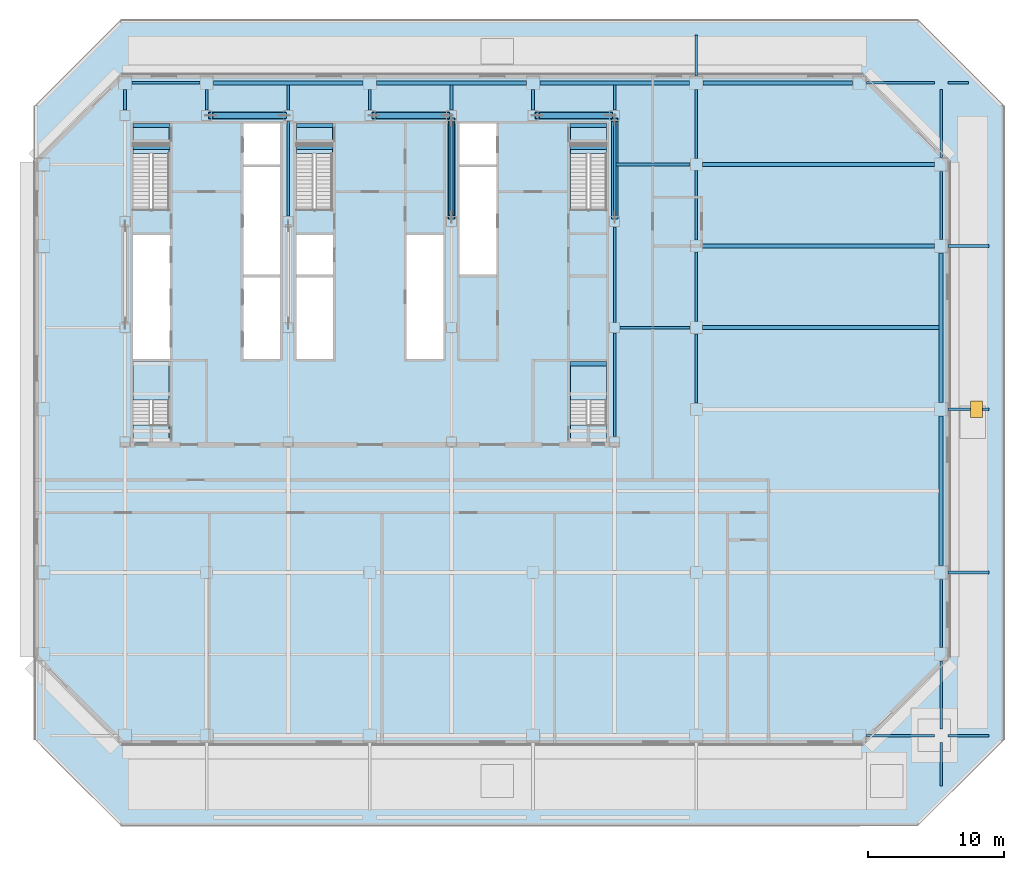
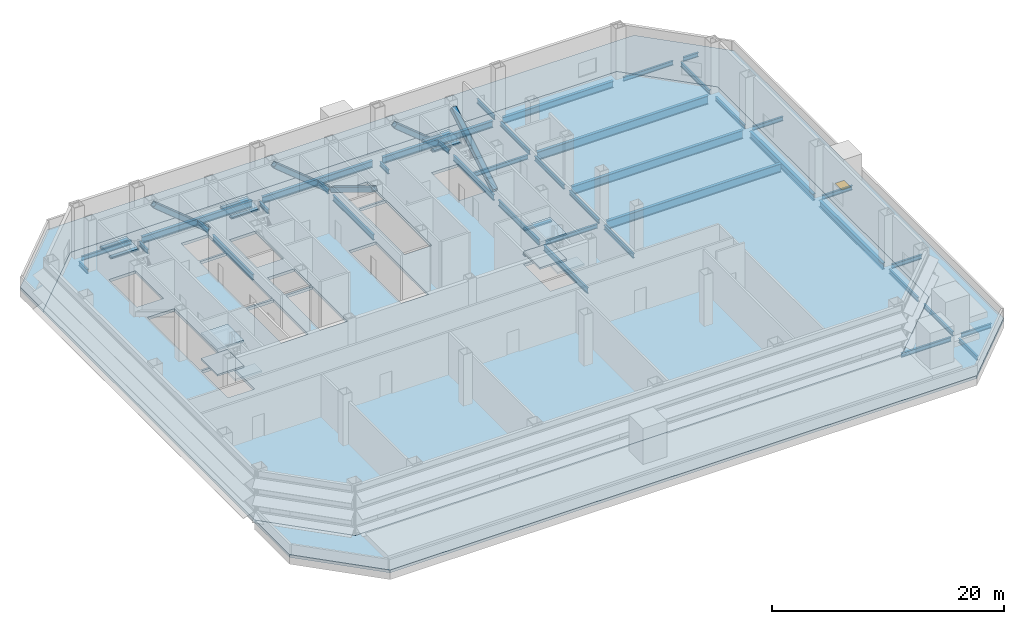
# One storey, part 2 of 11: 49 beams, 11 slabs, 5 members, 1 window, 1 opening, 5 elements without a shape of their own.
"""IFC4 building model written with IfcOpenShell, lengths in metres."""

from ifc_helpers import new_model, si_unit, direction, frame, origin, origin_2d, place, context, subcontext, project, spatial, polyline, rectangle, hollow_rectangle, i_section, outline, extrude, material, layer, layer_set, material_profile, profile_set, type_object, element, fill, aggregate, save


model = new_model("IFC4")

# Units and contexts
model_context = context("Model", 3, precision=1e-05, world=origin(), true_north=direction((0.0, 1.0)))
body_context = subcontext(model_context, "Body", "Model", "MODEL_VIEW")
ifc_project = project(units=[si_unit("LENGTHUNIT", "METRE"), si_unit("AREAUNIT", "SQUARE_METRE"), si_unit("VOLUMEUNIT", "CUBIC_METRE"), si_unit("PLANEANGLEUNIT", "RADIAN"), si_unit("MASSUNIT", "GRAM", prefix="KILO")], contexts=[model_context])

# Site, building, storey
site_placement = place(None, origin())
site = spatial("IfcSite", under=ifc_project, at=site_placement, CompositionType="ELEMENT")
building_placement = place(site_placement, origin())
building = spatial("IfcBuilding", under=site, at=building_placement, Name="Sorahane Residences", CompositionType="ELEMENT")
storey_placement = place(building_placement, frame((0.0, 0.0, 44.39990234375)))
storey = spatial("IfcBuildingStorey", under=building, at=storey_placement, Name="L07", CompositionType="ELEMENT", Elevation=44.39990234375)

# Members
ifc_material_1 = material(Name="Steel Q355B", Category="steel")
ifc_material_profile_1 = material_profile(ifc_material_1, hollow_rectangle(XDim=0.5, YDim=0.5, WallThickness=0.02490234375, InnerFilletRadius=0.012451171875, OuterFilletRadius=0.03759765625, at=origin_2d()), Name="RHS 500x500x25")
ifc_profile_set_1 = profile_set([ifc_material_profile_1], Name="Steel Q355B")
member_type = type_object("IfcMemberType", Name="Core brace RHS 500x500x25 Q355B", PredefinedType="BRACE", material=ifc_profile_set_1)
for number, where, z_axis, x_axis, name in (
    (1, (17.6953125, 45.60009765625, 0.171875), (-0.772848867813, 0.0, 0.634590125609), (0.0, -1.0, 0.0), "Core brace L07 y45.6-2"),
    (2, (29.6953125, 45.60009765625, 0.171875), (-0.772848867813, 0.0, 0.634590125609), (0.0, -1.0, 0.0), "Core brace L07 y45.6-4"),
    (3, (41.6953125, 45.60009765625, 0.171875), (-0.772848867813, 0.0, 0.634590125609), (0.0, -1.0, 0.0), "Core brace L07 y45.6-6"),
):
    element("IfcMember", number, at=place(storey_placement, frame(where, z_axis=z_axis, x_axis=x_axis)), inside=storey, type_object=member_type, Name=name, PredefinedType="BRACE", context=body_context, shape_type="SweptSolid", body=[
        extrude(hollow_rectangle(XDim=0.5, YDim=0.5, WallThickness=0.02490234375, InnerFilletRadius=0.012451171875, OuterFilletRadius=0.03759765625, at=origin_2d()), origin(), (0.0, 0.0, 1.0), 6.97509765625),
    ])
for number, where, z_axis, x_axis, name in (
    (4, (42.0, 38.121826171875, 0.202392578125), (0.0, 0.853707753255, 0.520752409532), (-1.0, 0.0, 0.0), "Core brace L07 x42-3"),
    (5, (30.0, 45.278076171875, 0.202392578125), (0.0, -0.853707753255, 0.520752409532), (1.0, 0.0, 0.0), "Core brace L07 x30-2"),
):
    element("IfcMember", number, at=place(storey_placement, frame(where, z_axis=z_axis, x_axis=x_axis)), inside=storey, type_object=member_type, Name=name, PredefinedType="BRACE", context=body_context, shape_type="SweptSolid", body=[
        extrude(hollow_rectangle(XDim=0.5, YDim=0.5, WallThickness=0.02490234375, InnerFilletRadius=0.012451171875, OuterFilletRadius=0.03759765625, at=origin_2d()), origin(), (0.0, 0.0, 1.0), 8.382568359375),
    ])

# Beams
ifc_material_2 = material(Name="Concrete C40", Category="concrete")
ifc_material_profile_2 = material_profile(ifc_material_2, rectangle(XDim=0.300048828125, YDim=0.139892578125, at=origin_2d()), Name="300x140")
ifc_profile_set_2 = profile_set([ifc_material_profile_2], Name="Concrete C40")
beam_type_1 = type_object("IfcBeamType", Name="RC landing beam 300 x 140 Concrete C40", PredefinedType="BEAM", material=ifc_profile_set_2)
for number, where, z_axis, x_axis, name in (
    (6, (6.60009765625, 43.25, 2.43017578125), (1.0, 0.0, 0.0), (0.0, 1.0, 0.0), "Landing beam"),
    (7, (6.60009765625, 44.85009765625, 2.43017578125), (1.0, 0.0, 0.0), (0.0, 1.0, 0.0), "Landing beam"),
    (8, (38.699951171875, 43.25, 2.43017578125), (1.0, 0.0, 0.0), (0.0, 1.0, 0.0), "Landing beam"),
    (9, (38.699951171875, 44.85009765625, 2.43017578125), (1.0, 0.0, 0.0), (0.0, 1.0, 0.0), "Landing beam"),
    (10, (18.60009765625, 43.25, 2.43017578125), (1.0, 0.0, 0.0), (0.0, 1.0, 0.0), "Landing beam"),
    (11, (18.60009765625, 44.85009765625, 2.43017578125), (1.0, 0.0, 0.0), (0.0, 1.0, 0.0), "Landing beam"),
    (12, (38.699951171875, 27.35009765625, 1.080078125), (1.0, 0.0, 0.0), (0.0, 1.0, 0.0), "Landing beam"),
    (13, (38.699951171875, 27.35009765625, 3.780029296875), (1.0, 0.0, 0.0), (0.0, 1.0, 0.0), "Landing beam"),
):
    element("IfcBeam", number, at=place(storey_placement, frame(where, z_axis=z_axis, x_axis=x_axis)), inside=storey, type_object=beam_type_1, Name=name, PredefinedType="BEAM", context=body_context, shape_type="SweptSolid", body=[
        extrude(rectangle(XDim=0.300048828125, YDim=0.139892578125, at=origin_2d()), origin(), (0.0, 0.0, 1.0), 2.699951171875),
    ])
ifc_material_3 = material(Name="Steel Q355B", Category="steel")
ifc_material_profile_3 = material_profile(ifc_material_3, i_section(OverallWidth=0.199951171875, OverallDepth=0.449951171875, WebThickness=0.009033203125, FlangeThickness=0.013916015625, FilletRadius=0.02001953125, at=origin_2d()), Name="HN 450x200x9x14")
ifc_profile_set_3 = profile_set([ifc_material_profile_3], Name="Steel Q355B")
beam_type_2 = type_object("IfcBeamType", Name="Steel floor beam HN 450x200x9x14 Q355B", PredefinedType="BEAM", material=ifc_profile_set_3)
beam_1_placement = place(storey_placement, frame((60.5, 0.0, -0.52490234375), z_axis=(1.0, 0.0, 0.0), x_axis=(0.0, 1.0, 0.0)))
element("IfcBeam", 14, at=beam_1_placement, inside=storey, type_object=beam_type_2, Name="Beam L07 006", PredefinedType="BEAM", context=body_context, shape_type="SweptSolid", body=[
    extrude(i_section(OverallWidth=0.199951171875, OverallDepth=0.449951171875, WebThickness=0.009033203125, FlangeThickness=0.013916015625, FilletRadius=0.02001953125, at=origin_2d()), origin(), (0.0, 0.0, 1.0), 5.0),
])
for number, where, z_axis, x_axis, name in (
    (15, (66.5, 0.0, -0.52490234375), (1.0, 0.0, 0.0), (0.0, 1.0, 0.0), "Beam L07 007"),
    (16, (66.5, 12.0, -0.52490234375), (1.0, 0.0, 0.0), (0.0, 1.0, 0.0), "Beam L07 013"),
    (17, (66.5, 24.0, -0.52490234375), (1.0, 0.0, 0.0), (0.0, 1.0, 0.0), "Beam L07 015"),
    (18, (66.5, 36.0, -0.52490234375), (1.0, 0.0, 0.0), (0.0, 1.0, 0.0), "Beam L07 017"),
):
    element("IfcBeam", number, at=place(storey_placement, frame(where, z_axis=z_axis, x_axis=x_axis)), inside=storey, type_object=beam_type_2, Name=name, PredefinedType="BEAM", context=body_context, shape_type="SweptSolid", body=[
        extrude(i_section(OverallWidth=0.199951171875, OverallDepth=0.449951171875, WebThickness=0.009033203125, FlangeThickness=0.013916015625, FilletRadius=0.02001953125, at=origin_2d()), origin(), (0.0, 0.0, 1.0), 3.0),
    ])
for number, where, z_axis, x_axis, name in (
    (19, (6.5, 48.0, -0.52490234375), (1.0, 0.0, 0.0), (0.0, 1.0, 0.0), "Beam L07 018"),
    (20, (60.5, 48.0, -0.52490234375), (1.0, 0.0, 0.0), (0.0, 1.0, 0.0), "Beam L07 023"),
):
    element("IfcBeam", number, at=place(storey_placement, frame(where, z_axis=z_axis, x_axis=x_axis)), inside=storey, type_object=beam_type_2, Name=name, PredefinedType="BEAM", context=body_context, shape_type="SweptSolid", body=[
        extrude(i_section(OverallWidth=0.199951171875, OverallDepth=0.449951171875, WebThickness=0.009033203125, FlangeThickness=0.013916015625, FilletRadius=0.02001953125, at=origin_2d()), origin(), (0.0, 0.0, 1.0), 5.0),
    ])
for number, where, z_axis, x_axis, name in (
    (21, (66.5, 48.0, -0.52490234375), (1.0, 0.0, 0.0), (0.0, 1.0, 0.0), "Beam L07 024"),
    (22, (6.0, 46.0, -0.52490234375), (0.0, 1.0, 0.0), (-1.0, 0.0, 0.0), "Beam L07 035"),
    (23, (12.0, 46.0, -0.52490234375), (0.0, 1.0, 0.0), (-1.0, 0.0, 0.0), "Beam L07 038"),
):
    element("IfcBeam", number, at=place(storey_placement, frame(where, z_axis=z_axis, x_axis=x_axis)), inside=storey, type_object=beam_type_2, Name=name, PredefinedType="BEAM", context=body_context, shape_type="SweptSolid", body=[
        extrude(i_section(OverallWidth=0.199951171875, OverallDepth=0.449951171875, WebThickness=0.009033203125, FlangeThickness=0.013916015625, FilletRadius=0.02001953125, at=origin_2d()), origin(), (0.0, 0.0, 1.0), 1.5),
    ])
beam_2_placement = place(storey_placement, frame((18.0, 46.0, -0.52490234375), z_axis=(0.0, 1.0, 0.0), x_axis=(-1.0, 0.0, 0.0)))
element("IfcBeam", 24, at=beam_2_placement, inside=storey, type_object=beam_type_2, Name="Beam L07 044", PredefinedType="BEAM", context=body_context, shape_type="SweptSolid", body=[
    extrude(i_section(OverallWidth=0.199951171875, OverallDepth=0.449951171875, WebThickness=0.009033203125, FlangeThickness=0.013916015625, FilletRadius=0.02001953125, at=origin_2d()), origin(), (0.0, 0.0, 1.0), 1.85009765625),
])
beam_3_placement = place(storey_placement, frame((24.0, 46.0, -0.52490234375), z_axis=(0.0, 1.0, 0.0), x_axis=(-1.0, 0.0, 0.0)))
element("IfcBeam", 25, at=beam_3_placement, inside=storey, type_object=beam_type_2, Name="Beam L07 047", PredefinedType="BEAM", context=body_context, shape_type="SweptSolid", body=[
    extrude(i_section(OverallWidth=0.199951171875, OverallDepth=0.449951171875, WebThickness=0.009033203125, FlangeThickness=0.013916015625, FilletRadius=0.02001953125, at=origin_2d()), origin(), (0.0, 0.0, 1.0), 1.5),
])
beam_4_placement = place(storey_placement, frame((30.0, 46.0, -0.52490234375), z_axis=(0.0, 1.0, 0.0), x_axis=(-1.0, 0.0, 0.0)))
element("IfcBeam", 26, at=beam_4_placement, inside=storey, type_object=beam_type_2, Name="Beam L07 053", PredefinedType="BEAM", context=body_context, shape_type="SweptSolid", body=[
    extrude(i_section(OverallWidth=0.199951171875, OverallDepth=0.449951171875, WebThickness=0.009033203125, FlangeThickness=0.013916015625, FilletRadius=0.02001953125, at=origin_2d()), origin(), (0.0, 0.0, 1.0), 1.85009765625),
])
beam_5_placement = place(storey_placement, frame((36.0, 46.0, -0.52490234375), z_axis=(0.0, 1.0, 0.0), x_axis=(-1.0, 0.0, 0.0)))
element("IfcBeam", 27, at=beam_5_placement, inside=storey, type_object=beam_type_2, Name="Beam L07 056", PredefinedType="BEAM", context=body_context, shape_type="SweptSolid", body=[
    extrude(i_section(OverallWidth=0.199951171875, OverallDepth=0.449951171875, WebThickness=0.009033203125, FlangeThickness=0.013916015625, FilletRadius=0.02001953125, at=origin_2d()), origin(), (0.0, 0.0, 1.0), 1.5),
])
beam_6_placement = place(storey_placement, frame((42.0, 46.0, -0.52490234375), z_axis=(0.0, 1.0, 0.0), x_axis=(-1.0, 0.0, 0.0)))
element("IfcBeam", 28, at=beam_6_placement, inside=storey, type_object=beam_type_2, Name="Beam L07 062", PredefinedType="BEAM", context=body_context, shape_type="SweptSolid", body=[
    extrude(i_section(OverallWidth=0.199951171875, OverallDepth=0.449951171875, WebThickness=0.009033203125, FlangeThickness=0.013916015625, FilletRadius=0.02001953125, at=origin_2d()), origin(), (0.0, 0.0, 1.0), 1.85009765625),
])
for number, where, z_axis, x_axis, name in (
    (29, (48.0, 24.449951171875, -0.52490234375), (0.0, 1.0, 0.0), (-1.0, 0.0, 0.0), "Beam L07 066"),
    (30, (48.0, 30.449951171875, -0.52490234375), (0.0, 1.0, 0.0), (-1.0, 0.0, 0.0), "Beam L07 067"),
    (31, (48.0, 36.449951171875, -0.52490234375), (0.0, 1.0, 0.0), (-1.0, 0.0, 0.0), "Beam L07 068"),
):
    element("IfcBeam", number, at=place(storey_placement, frame(where, z_axis=z_axis, x_axis=x_axis)), inside=storey, type_object=beam_type_2, Name=name, PredefinedType="BEAM", context=body_context, shape_type="SweptSolid", body=[
        extrude(i_section(OverallWidth=0.199951171875, OverallDepth=0.449951171875, WebThickness=0.009033203125, FlangeThickness=0.013916015625, FilletRadius=0.02001953125, at=origin_2d()), origin(), (0.0, 0.0, 1.0), 5.10009765625),
    ])
beam_7_placement = place(storey_placement, frame((48.0, 42.449951171875, -0.52490234375), z_axis=(0.0, 1.0, 0.0), x_axis=(-1.0, 0.0, 0.0)))
element("IfcBeam", 32, at=beam_7_placement, inside=storey, type_object=beam_type_2, Name="Beam L07 069", PredefinedType="BEAM", context=body_context, shape_type="SweptSolid", body=[
    extrude(i_section(OverallWidth=0.199951171875, OverallDepth=0.449951171875, WebThickness=0.009033203125, FlangeThickness=0.013916015625, FilletRadius=0.02001953125, at=origin_2d()), origin(), (0.0, 0.0, 1.0), 5.050048828125),
])
beam_8_placement = place(storey_placement, frame((48.0, 48.5, -0.52490234375), z_axis=(0.0, 1.0, 0.0), x_axis=(-1.0, 0.0, 0.0)))
element("IfcBeam", 33, at=beam_8_placement, inside=storey, type_object=beam_type_2, Name="Beam L07 070", PredefinedType="BEAM", context=body_context, shape_type="SweptSolid", body=[
    extrude(i_section(OverallWidth=0.199951171875, OverallDepth=0.449951171875, WebThickness=0.009033203125, FlangeThickness=0.013916015625, FilletRadius=0.02001953125, at=origin_2d()), origin(), (0.0, 0.0, 1.0), 3.0),
])
for number, where, z_axis, x_axis, name in (
    (34, (66.0, 0.5, -0.52490234375), (0.0, 1.0, 0.0), (-1.0, 0.0, 0.0), "Beam L07 071"),
    (35, (66.0, 6.5, -0.52490234375), (0.0, 1.0, 0.0), (-1.0, 0.0, 0.0), "Beam L07 072"),
    (36, (66.0, 36.5, -0.52490234375), (0.0, 1.0, 0.0), (-1.0, 0.0, 0.0), "Beam L07 075"),
    (37, (66.0, 42.5, -0.52490234375), (0.0, 1.0, 0.0), (-1.0, 0.0, 0.0), "Beam L07 076"),
):
    element("IfcBeam", number, at=place(storey_placement, frame(where, z_axis=z_axis, x_axis=x_axis)), inside=storey, type_object=beam_type_2, Name=name, PredefinedType="BEAM", context=body_context, shape_type="SweptSolid", body=[
        extrude(i_section(OverallWidth=0.199951171875, OverallDepth=0.449951171875, WebThickness=0.009033203125, FlangeThickness=0.013916015625, FilletRadius=0.02001953125, at=origin_2d()), origin(), (0.0, 0.0, 1.0), 5.0),
    ])
beam_9_placement = place(storey_placement, frame((42.39990234375, 30.0, -0.52490234375), z_axis=(1.0, 0.0, 0.0), x_axis=(0.0, 1.0, 0.0)))
element("IfcBeam", 38, at=beam_9_placement, inside=storey, type_object=beam_type_2, Name="Beam L07 096", PredefinedType="BEAM", context=body_context, shape_type="SweptSolid", body=[
    extrude(i_section(OverallWidth=0.199951171875, OverallDepth=0.449951171875, WebThickness=0.009033203125, FlangeThickness=0.013916015625, FilletRadius=0.02001953125, at=origin_2d()), origin(), (0.0, 0.0, 1.0), 5.150146484375),
])
beam_10_placement = place(storey_placement, frame((42.10009765625, 42.0, -0.52490234375), z_axis=(1.0, 0.0, 0.0), x_axis=(0.0, 1.0, 0.0)))
element("IfcBeam", 39, at=beam_10_placement, inside=storey, type_object=beam_type_2, Name="Beam L07 099", PredefinedType="BEAM", context=body_context, shape_type="SweptSolid", body=[
    extrude(i_section(OverallWidth=0.199951171875, OverallDepth=0.449951171875, WebThickness=0.009033203125, FlangeThickness=0.013916015625, FilletRadius=0.02001953125, at=origin_2d()), origin(), (0.0, 0.0, 1.0), 5.449951171875),
])
beam_11_placement = place(storey_placement, frame((66.0, -3.699951171875, -0.52490234375), z_axis=(0.0, 1.0, 0.0), x_axis=(-1.0, 0.0, 0.0)))
element("IfcBeam", 40, at=beam_11_placement, inside=storey, type_object=beam_type_2, Name="Beam L07 101", PredefinedType="BEAM", context=body_context, shape_type="SweptSolid", body=[
    extrude(i_section(OverallWidth=0.199951171875, OverallDepth=0.449951171875, WebThickness=0.009033203125, FlangeThickness=0.013916015625, FilletRadius=0.02001953125, at=origin_2d()), origin(), (0.0, 0.0, 1.0), 3.19970703125),
])
ifc_material_4 = material(Name="Steel Q355B", Category="steel")
ifc_material_profile_4 = material_profile(ifc_material_4, i_section(OverallWidth=0.199951171875, OverallDepth=0.60009765625, WebThickness=0.010986328125, FlangeThickness=0.01708984375, FilletRadius=0.02392578125, at=origin_2d()), Name="HN 600x200x11x17")
ifc_profile_set_4 = profile_set([ifc_material_profile_4], Name="Steel Q355B")
beam_type_3 = type_object("IfcBeamType", Name="Steel floor beam HN 600x200x11x17 Q355B", PredefinedType="BEAM", material=ifc_profile_set_4)
for number, where, z_axis, x_axis, name in (
    (41, (18.0, 38.199951171875, -0.599853515625), (0.0, 1.0, 0.0), (-1.0, 0.0, 0.0), "Beam L07 043"),
    (42, (30.0, 38.199951171875, -0.599853515625), (0.0, 1.0, 0.0), (-1.0, 0.0, 0.0), "Beam L07 052"),
):
    element("IfcBeam", number, at=place(storey_placement, frame(where, z_axis=z_axis, x_axis=x_axis)), inside=storey, type_object=beam_type_3, Name=name, PredefinedType="BEAM", context=body_context, shape_type="SweptSolid", body=[
        extrude(i_section(OverallWidth=0.199951171875, OverallDepth=0.60009765625, WebThickness=0.010986328125, FlangeThickness=0.01708984375, FilletRadius=0.02392578125, at=origin_2d()), origin(), (0.0, 0.0, 1.0), 7.0),
    ])
beam_12_placement = place(storey_placement, frame((42.0, 22.0, -0.599853515625), z_axis=(0.0, 1.0, 0.0), x_axis=(-1.0, 0.0, 0.0)))
element("IfcBeam", 43, at=beam_12_placement, inside=storey, type_object=beam_type_3, Name="Beam L07 059", PredefinedType="BEAM", context=body_context, shape_type="SweptSolid", body=[
    extrude(i_section(OverallWidth=0.199951171875, OverallDepth=0.60009765625, WebThickness=0.010986328125, FlangeThickness=0.01708984375, FilletRadius=0.02392578125, at=origin_2d()), origin(), (0.0, 0.0, 1.0), 7.60009765625),
])
for number, where, z_axis, x_axis, name in (
    (44, (42.0, 30.39990234375, -0.599853515625), (0.0, 1.0, 0.0), (-1.0, 0.0, 0.0), "Beam L07 060"),
    (45, (42.0, 38.199951171875, -0.599853515625), (0.0, 1.0, 0.0), (-1.0, 0.0, 0.0), "Beam L07 061"),
):
    element("IfcBeam", number, at=place(storey_placement, frame(where, z_axis=z_axis, x_axis=x_axis)), inside=storey, type_object=beam_type_3, Name=name, PredefinedType="BEAM", context=body_context, shape_type="SweptSolid", body=[
        extrude(i_section(OverallWidth=0.199951171875, OverallDepth=0.60009765625, WebThickness=0.010986328125, FlangeThickness=0.01708984375, FilletRadius=0.02392578125, at=origin_2d()), origin(), (0.0, 0.0, 1.0), 7.0),
    ])
ifc_material_5 = material(Name="Steel Q355B", Category="steel")
ifc_material_profile_5 = material_profile(ifc_material_5, i_section(OverallWidth=0.300048828125, OverallDepth=0.699951171875, WebThickness=0.012939453125, FlangeThickness=0.02392578125, FilletRadius=0.028076171875, at=origin_2d()), Name="HN 700x300x13x24")
ifc_profile_set_5 = profile_set([ifc_material_profile_5], Name="Steel Q355B")
beam_type_4 = type_object("IfcBeamType", Name="Steel floor beam HN 700x300x13x24 Q355B", PredefinedType="BEAM", material=ifc_profile_set_5)
for number, where, z_axis, x_axis, name in (
    (46, (12.5, 48.0, -0.64990234375), (1.0, 0.0, 0.0), (0.0, 1.0, 0.0), "Beam L07 019"),
    (47, (24.5, 48.0, -0.64990234375), (1.0, 0.0, 0.0), (0.0, 1.0, 0.0), "Beam L07 020"),
    (48, (36.5, 48.0, -0.64990234375), (1.0, 0.0, 0.0), (0.0, 1.0, 0.0), "Beam L07 021"),
    (49, (48.5, 48.0, -0.64990234375), (1.0, 0.0, 0.0), (0.0, 1.0, 0.0), "Beam L07 022"),
    (50, (66.0, 12.5, -0.64990234375), (0.0, 1.0, 0.0), (-1.0, 0.0, 0.0), "Beam L07 073"),
    (51, (66.0, 24.5, -0.64990234375), (0.0, 1.0, 0.0), (-1.0, 0.0, 0.0), "Beam L07 074"),
):
    element("IfcBeam", number, at=place(storey_placement, frame(where, z_axis=z_axis, x_axis=x_axis)), inside=storey, type_object=beam_type_4, Name=name, PredefinedType="BEAM", context=body_context, shape_type="SweptSolid", body=[
        extrude(i_section(OverallWidth=0.300048828125, OverallDepth=0.699951171875, WebThickness=0.012939453125, FlangeThickness=0.02392578125, FilletRadius=0.028076171875, at=origin_2d()), origin(), (0.0, 0.0, 1.0), 11.0),
    ])
ifc_material_6 = material(Name="Steel Q355B", Category="steel")
ifc_material_profile_6 = material_profile(ifc_material_6, i_section(OverallWidth=0.300048828125, OverallDepth=0.89990234375, WebThickness=0.01611328125, FlangeThickness=0.028076171875, FilletRadius=0.028076171875, at=origin_2d()), Name="HN 900x300x16x28")
ifc_profile_set_6 = profile_set([ifc_material_profile_6], Name="Steel Q355B")
beam_type_5 = type_object("IfcBeamType", Name="Steel floor beam HN 900x300x16x28 Q355B", PredefinedType="BEAM", material=ifc_profile_set_6)
beam_13_placement = place(storey_placement, frame((48.449951171875, 36.0, -0.75), z_axis=(1.0, 0.0, 0.0), x_axis=(0.0, 1.0, 0.0)))
element("IfcBeam", 52, at=beam_13_placement, inside=storey, type_object=beam_type_5, Name="Beam L07 016", PredefinedType="BEAM", context=body_context, shape_type="SweptSolid", body=[
    extrude(i_section(OverallWidth=0.300048828125, OverallDepth=0.89990234375, WebThickness=0.01611328125, FlangeThickness=0.028076171875, FilletRadius=0.028076171875, at=origin_2d()), origin(), (0.0, 0.0, 1.0), 17.050048828125),
])
beam_14_placement = place(storey_placement, frame((48.449951171875, 30.0, -0.75), z_axis=(1.0, 0.0, 0.0), x_axis=(0.0, 1.0, 0.0)))
element("IfcBeam", 53, at=beam_14_placement, inside=storey, type_object=beam_type_5, Name="Beam L07 097", PredefinedType="BEAM", context=body_context, shape_type="SweptSolid", body=[
    extrude(i_section(OverallWidth=0.300048828125, OverallDepth=0.89990234375, WebThickness=0.01611328125, FlangeThickness=0.028076171875, FilletRadius=0.028076171875, at=origin_2d()), origin(), (0.0, 0.0, 1.0), 17.400146484375),
])
beam_15_placement = place(storey_placement, frame((48.449951171875, 42.0, -0.75), z_axis=(1.0, 0.0, 0.0), x_axis=(0.0, 1.0, 0.0)))
element("IfcBeam", 54, at=beam_15_placement, inside=storey, type_object=beam_type_5, Name="Beam L07 100", PredefinedType="BEAM", context=body_context, shape_type="SweptSolid", body=[
    extrude(i_section(OverallWidth=0.300048828125, OverallDepth=0.89990234375, WebThickness=0.01611328125, FlangeThickness=0.028076171875, FilletRadius=0.028076171875, at=origin_2d()), origin(), (0.0, 0.0, 1.0), 17.050048828125),
])

# Slab
ifc_material_7 = material(Name="Concrete C35", Category="concrete")
ifc_layer_1 = layer(ifc_material_7, 0.300048828125)
ifc_layer_set_1 = layer_set([ifc_layer_1], Name="Composite floor slab 300 mm Concrete C35")
slab_type_1 = type_object("IfcSlabType", Name="Composite floor slab 300 mm Concrete C35", PredefinedType="FLOOR", material=ifc_layer_set_1)
slab_1_placement = place(storey_placement, frame((0.0, 0.0, -0.2998046875)))
element("IfcSlab", 55, at=slab_1_placement, inside=storey, type_object=slab_type_1, Name="Slab L07", PredefinedType="FLOOR", context=body_context, shape_type="SweptSolid", body=[
    extrude(outline(polyline([(5.75146484375, -0.60009765625), (-0.60009765625, 5.75146484375), (-0.60009765625, 42.24853515625), (5.75146484375, 48.60009765625), (60.24853515625, 48.60009765625), (66.60009765625, 42.24853515625), (66.60009765625, 5.75146484375), (60.24853515625, -0.60009765625), (5.75146484375, -0.60009765625)]), holes=[polyline([(18.60009765625, 27.699951171875), (21.300048828125, 27.699951171875), (21.300048828125, 33.699951171875), (18.60009765625, 33.699951171875), (18.60009765625, 27.699951171875)]), polyline([(30.60009765625, 42.0), (33.300048828125, 42.0), (33.300048828125, 45.0), (30.60009765625, 45.0), (30.60009765625, 42.0)]), polyline([(14.699951171875, 27.699951171875), (17.39990234375, 27.699951171875), (17.39990234375, 33.699951171875), (14.699951171875, 33.699951171875), (14.699951171875, 27.699951171875)]), polyline([(14.699951171875, 42.0), (17.39990234375, 42.0), (17.39990234375, 45.0), (14.699951171875, 45.0), (14.699951171875, 42.0)]), polyline([(6.60009765625, 27.699951171875), (9.300048828125, 27.699951171875), (9.300048828125, 36.800048828125), (6.60009765625, 36.800048828125), (6.60009765625, 27.699951171875)]), polyline([(6.60009765625, 43.39990234375), (9.25, 43.39990234375), (9.25, 38.60009765625), (6.60009765625, 38.60009765625), (6.60009765625, 43.39990234375)]), polyline([(38.75, 43.39990234375), (41.39990234375, 43.39990234375), (41.39990234375, 38.60009765625), (38.75, 38.60009765625), (38.75, 43.39990234375)]), polyline([(18.60009765625, 43.39990234375), (21.25, 43.39990234375), (21.25, 38.60009765625), (18.60009765625, 38.60009765625), (18.60009765625, 43.39990234375)]), polyline([(6.60009765625, 27.5), (9.25, 27.5), (9.25, 22.85009765625), (6.60009765625, 22.85009765625), (6.60009765625, 27.5)]), polyline([(38.75, 27.5), (41.39990234375, 27.5), (41.39990234375, 22.85009765625), (38.75, 22.85009765625), (38.75, 27.5)]), polyline([(14.699951171875, 33.89990234375), (17.39990234375, 33.89990234375), (17.39990234375, 41.800048828125), (14.699951171875, 41.800048828125), (14.699951171875, 33.89990234375)]), polyline([(30.60009765625, 33.89990234375), (33.300048828125, 33.89990234375), (33.300048828125, 41.800048828125), (30.60009765625, 41.800048828125), (30.60009765625, 33.89990234375)]), polyline([(18.60009765625, 33.89990234375), (21.300048828125, 33.89990234375), (21.300048828125, 36.800048828125), (18.60009765625, 36.800048828125), (18.60009765625, 33.89990234375)]), polyline([(26.699951171875, 27.699951171875), (29.39990234375, 27.699951171875), (29.39990234375, 36.800048828125), (26.699951171875, 36.800048828125), (26.699951171875, 27.699951171875)])]), origin(), (0.0, 0.0, 1.0), 0.2998046875),
])

# Slab, opening, window
ifc_material_8 = material(Name="Concrete C35", Category="concrete")
ifc_layer_2 = layer(ifc_material_8, 0.300048828125)
ifc_layer_set_2 = layer_set([ifc_layer_2], Name="Roof terrace slab Concrete C35 paved 300")
slab_type_2 = type_object("IfcSlabType", Name="Roof terrace slab Concrete C35 paved 300", PredefinedType="ROOF", material=ifc_layer_set_2)
slab_2_placement = place(storey_placement, frame((0.0, 0.0, -0.2998046875)))
slab_2 = element("IfcSlab", 56, at=slab_2_placement, inside=storey, type_object=slab_type_2, Name="Garden roof slab L07.1", PredefinedType="ROOF", context=body_context, shape_type="SweptSolid", body=[
    extrude(outline(polyline([(-0.60009765625, -0.24853515625), (-0.60009765625, 5.75146484375), (5.75146484375, -0.60009765625), (60.24853515625, -0.60009765625), (66.60009765625, 5.75146484375), (66.60009765625, 42.24853515625), (60.24853515625, 48.60009765625), (5.75146484375, 48.60009765625), (-0.60009765625, 42.24853515625), (-0.60009765625, 46.24853515625), (5.75146484375, 52.60009765625), (64.24853515625, 52.60009765625), (70.60009765625, 46.24853515625), (70.60009765625, -0.24853515625), (64.24853515625, -6.60009765625), (5.75146484375, -6.60009765625), (-0.60009765625, -0.24853515625)])), origin(), (0.0, 0.0, 1.0), 0.2998046875),
])
opening_placement = place(slab_2_placement, frame((68.60009765625, 24.0, 0.0)))
opening = element("IfcOpeningElement", 57, at=opening_placement, cuts=slab_2, Name="Opening RH-1", PredefinedType="OPENING", context=body_context, shape_type="SweptSolid", body=[
    extrude(rectangle(XDim=0.89990234375, YDim=1.199951171875, at=origin_2d()), frame((0.0, 0.0, -0.010009765625)), (0.0, 0.0, 1.0), 0.31982421875),
])
ifc_material_9 = material(Name="Aluminium and glass", Category="aluminium")
window_type = type_object("IfcWindowType", Name="ROOF ACCESS HATCH aluminium 900x1200", PartitioningType="SINGLE_PANEL", PredefinedType="SKYLIGHT", material=ifc_material_9)
window_placement = place(opening_placement, frame((0.0, 0.0, 0.249755859375)))
window = element("IfcWindow", 58, at=window_placement, inside=storey, type_object=window_type, Name="Roof access hatch L07.1", OverallHeight=1.199951171875, OverallWidth=0.89990234375, PartitioningType="SINGLE_PANEL", PredefinedType="SKYLIGHT", context=body_context, shape_type="SweptSolid", body=[
    extrude(rectangle(XDim=0.89990234375, YDim=1.199951171875, at=origin_2d()), origin(), (0.0, 0.0, 1.0), 0.050048828125),
])
fill(opening, window)

# Stair, slab
ifc_material_10 = material(Name="Concrete C40", Category="concrete")
stair_type = type_object("IfcStairType", Name="Dog-leg stair 1250 Concrete C40", PredefinedType="HALF_TURN_STAIR", material=ifc_material_10)
stair_1_placement = place(storey_placement, origin())
stair_1 = element("IfcStair", 59, at=stair_1_placement, inside=storey, type_object=stair_type, Name="L07 Stair S1", PredefinedType="HALF_TURN_STAIR")
ifc_material_11 = material(Name="Concrete C40", Category="concrete")
ifc_layer_3 = layer(ifc_material_11, 0.199951171875)
ifc_layer_set_3 = layer_set([ifc_layer_3], Name="Stair landing 200 Concrete C40")
slab_type_3 = type_object("IfcSlabType", Name="Stair landing 200 Concrete C40", PredefinedType="LANDING", material=ifc_layer_set_3)
slab_3_placement = place(storey_placement, frame((0.0, 0.0, 2.5)))
slab_3 = element("IfcSlab", 60, at=slab_3_placement, type_object=slab_type_3, Name="S1 landing 1", PredefinedType="LANDING", context=body_context, shape_type="SweptSolid", body=[
    extrude(outline(polyline([(9.25, 42.800048828125), (9.25, 45.0), (6.60009765625, 45.0), (6.60009765625, 42.800048828125), (9.25, 42.800048828125)])), origin(), (0.0, 0.0, 1.0), 0.2001953125),
])
aggregate(stair_1, [slab_3])

stair_2_placement = place(storey_placement, origin())
stair_2 = element("IfcStair", 61, at=stair_2_placement, inside=storey, type_object=stair_type, Name="L07 Stair S2", PredefinedType="HALF_TURN_STAIR")
slab_4_placement = place(storey_placement, frame((0.0, 0.0, 2.5)))
slab_4 = element("IfcSlab", 62, at=slab_4_placement, type_object=slab_type_3, Name="S2 landing 1", PredefinedType="LANDING", context=body_context, shape_type="SweptSolid", body=[
    extrude(outline(polyline([(41.39990234375, 42.800048828125), (41.39990234375, 45.0), (38.75, 45.0), (38.75, 42.800048828125), (41.39990234375, 42.800048828125)])), origin(), (0.0, 0.0, 1.0), 0.2001953125),
])
aggregate(stair_2, [slab_4])

stair_3_placement = place(storey_placement, origin())
stair_3 = element("IfcStair", 63, at=stair_3_placement, inside=storey, type_object=stair_type, Name="L07 Stair S3", PredefinedType="HALF_TURN_STAIR")
slab_5_placement = place(storey_placement, frame((0.0, 0.0, 2.5)))
slab_5 = element("IfcSlab", 64, at=slab_5_placement, type_object=slab_type_3, Name="S3 landing 1", PredefinedType="LANDING", context=body_context, shape_type="SweptSolid", body=[
    extrude(outline(polyline([(21.25, 42.800048828125), (21.25, 45.0), (18.60009765625, 45.0), (18.60009765625, 42.800048828125), (21.25, 42.800048828125)])), origin(), (0.0, 0.0, 1.0), 0.2001953125),
])
aggregate(stair_3, [slab_5])

# Stair, slabs
stair_4_placement = place(storey_placement, origin())
stair_4 = element("IfcStair", 65, at=stair_4_placement, inside=storey, type_object=stair_type, Name="L07 Stair S4", PredefinedType="HALF_TURN_STAIR")
slab_6_placement = place(storey_placement, frame((0.0, 0.0, 1.150146484375)))
slab_6 = element("IfcSlab", 66, at=slab_6_placement, type_object=slab_type_3, Name="S4 landing 1", PredefinedType="LANDING", context=body_context, shape_type="SweptSolid", body=[
    extrude(outline(polyline([(9.25, 24.669921875), (9.25, 27.5), (6.60009765625, 27.5), (6.60009765625, 24.669921875), (9.25, 24.669921875)])), origin(), (0.0, 0.0, 1.0), 0.199951171875),
])
slab_7_placement = place(storey_placement, frame((0.0, 0.0, 2.5)))
slab_7 = element("IfcSlab", 67, at=slab_7_placement, type_object=slab_type_3, Name="S4 landing 2", PredefinedType="LANDING", context=body_context, shape_type="SweptSolid", body=[
    extrude(outline(polyline([(9.25, 21.60009765625), (9.25, 22.85009765625), (6.60009765625, 22.85009765625), (6.60009765625, 21.60009765625), (9.25, 21.60009765625)])), origin(), (0.0, 0.0, 1.0), 0.2001953125),
])
slab_8_placement = place(storey_placement, frame((0.0, 0.0, 3.85009765625)))
slab_8 = element("IfcSlab", 68, at=slab_8_placement, type_object=slab_type_3, Name="S4 landing 3", PredefinedType="LANDING", context=body_context, shape_type="SweptSolid", body=[
    extrude(outline(polyline([(9.25, 24.669921875), (9.25, 27.5), (6.60009765625, 27.5), (6.60009765625, 24.669921875), (9.25, 24.669921875)])), origin(), (0.0, 0.0, 1.0), 0.199951171875),
])
aggregate(stair_4, [slab_6, slab_7, slab_8])

stair_5_placement = place(storey_placement, origin())
stair_5 = element("IfcStair", 69, at=stair_5_placement, inside=storey, type_object=stair_type, Name="L07 Stair S5", PredefinedType="HALF_TURN_STAIR")
slab_9_placement = place(storey_placement, frame((0.0, 0.0, 1.150146484375)))
slab_9 = element("IfcSlab", 70, at=slab_9_placement, type_object=slab_type_3, Name="S5 landing 1", PredefinedType="LANDING", context=body_context, shape_type="SweptSolid", body=[
    extrude(outline(polyline([(41.39990234375, 24.669921875), (41.39990234375, 27.5), (38.75, 27.5), (38.75, 24.669921875), (41.39990234375, 24.669921875)])), origin(), (0.0, 0.0, 1.0), 0.199951171875),
])
slab_10_placement = place(storey_placement, frame((0.0, 0.0, 2.5)))
slab_10 = element("IfcSlab", 71, at=slab_10_placement, type_object=slab_type_3, Name="S5 landing 2", PredefinedType="LANDING", context=body_context, shape_type="SweptSolid", body=[
    extrude(outline(polyline([(41.39990234375, 21.60009765625), (41.39990234375, 22.85009765625), (38.75, 22.85009765625), (38.75, 21.60009765625), (41.39990234375, 21.60009765625)])), origin(), (0.0, 0.0, 1.0), 0.2001953125),
])
slab_11_placement = place(storey_placement, frame((0.0, 0.0, 3.85009765625)))
slab_11 = element("IfcSlab", 72, at=slab_11_placement, type_object=slab_type_3, Name="S5 landing 3", PredefinedType="LANDING", context=body_context, shape_type="SweptSolid", body=[
    extrude(outline(polyline([(41.39990234375, 24.669921875), (41.39990234375, 27.5), (38.75, 27.5), (38.75, 24.669921875), (41.39990234375, 24.669921875)])), origin(), (0.0, 0.0, 1.0), 0.199951171875),
])
aggregate(stair_5, [slab_9, slab_10, slab_11])

save(model, "model.ifc")
